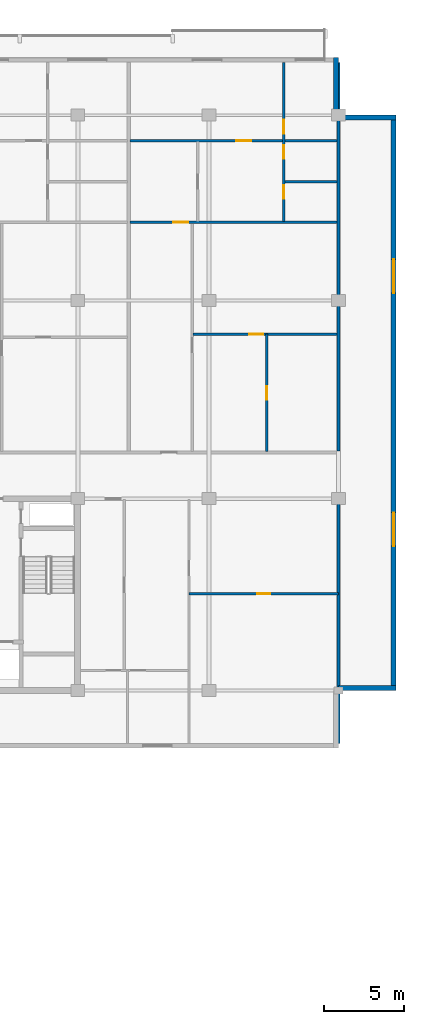
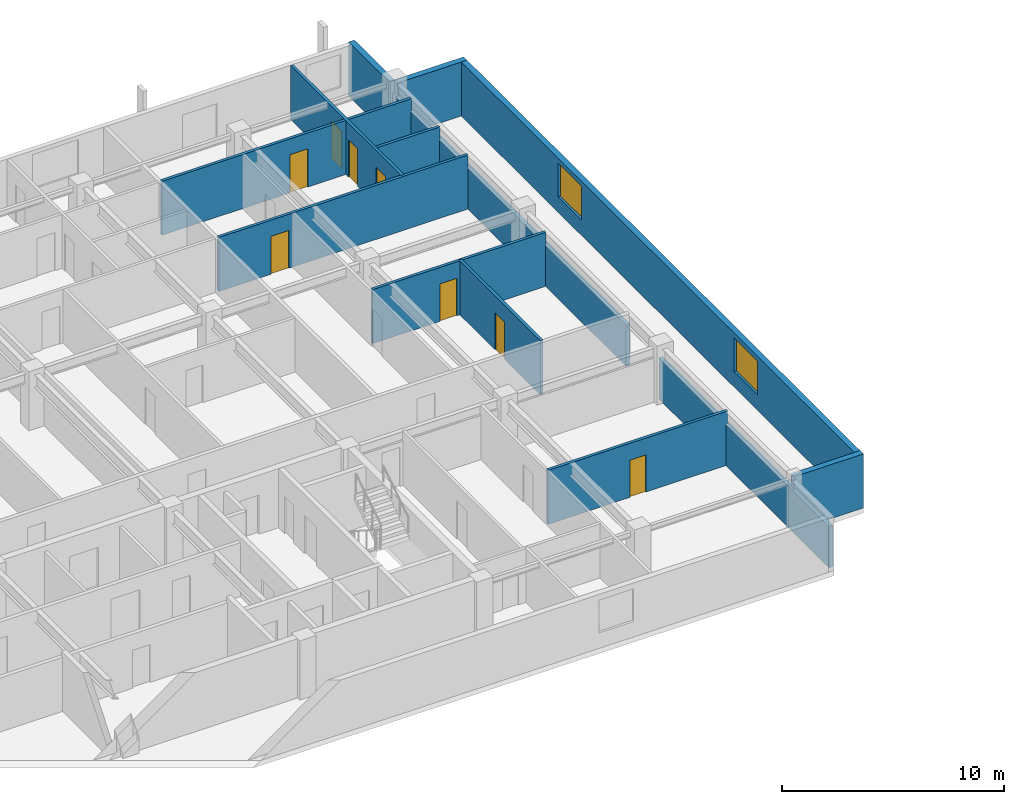
# One storey, part 15 of 21: 13 walls, 8 doors, 2 windows, 10 openings.
"""IFC4 building model written with IfcOpenShell, lengths in metres."""

import ifcopenshell
import ifcopenshell.guid

model = None  # the IFC model being written
_history = None  # IfcOwnerHistory: only IFC2X3 demands one
_inside = {}  # id of a spatial element -> (the spatial element, [elements in it])
_under = {}  # id of a project, library or spatial element -> (it, [spatial elements below it])
_declared = {}  # id of a project -> (the project, [libraries it declares])
_typed = {}  # id of a type object -> (the type object, [elements of that type])
_made_of = {}  # id of a material, layer set ... -> (it, [elements and type objects made of it])


def new_model(schema):
    """Start an empty IFC model of exactly this schema.

    Asked for "IFC4X3", IfcOpenShell would pick the latest addendum, in which some entities
    have other attributes; the version numbers below select the first issue.
    IFC2X3 requires an IfcOwnerHistory on every rooted entity: one is made here for all.
    """
    global model, _history
    if schema == "IFC4X3":
        model = ifcopenshell.file(schema_version=(4, 3, 0, 0))
    else:
        model = ifcopenshell.file(schema=schema)
    _inside.clear()
    _under.clear()
    _declared.clear()
    _typed.clear()
    _made_of.clear()
    _history = None
    if model.schema == "IFC2X3":
        org = make("IfcOrganization", Name="unknown")
        user = make(
            "IfcPersonAndOrganization",
            ThePerson=make("IfcPerson", FamilyName="unknown"),
            TheOrganization=org,
        )
        app = make(
            "IfcApplication",
            ApplicationDeveloper=org,
            Version="unknown",
            ApplicationFullName="unknown",
            ApplicationIdentifier="unknown",
        )
        _history = make(
            "IfcOwnerHistory",
            OwningUser=user,
            OwningApplication=app,
            ChangeAction="ADDED",
            CreationDate=0,
        )
    return model


def make(cls, **values):
    """One entity of the class cls with the attributes given. An attribute that is None is left unset."""
    return model.create_entity(
        cls, **{name: value for name, value in values.items() if value is not None}
    )


def rooted(cls, **values):
    """An entity with a GlobalId (a new one), such as an element, a storey or a relation."""
    return make(cls, GlobalId=ifcopenshell.guid.new(), OwnerHistory=_history, **values)


def si_unit(unit_type, name, prefix=None):
    """IfcSIUnit, for example si_unit("LENGTHUNIT", "METRE", prefix="MILLI")."""
    return make("IfcSIUnit", UnitType=unit_type, Prefix=prefix, Name=name)


def assignment(units):
    """IfcUnitAssignment: the units of a project."""
    return None if units is None else make("IfcUnitAssignment", Units=units)


def point(xyz):
    """IfcCartesianPoint."""
    return None if xyz is None else make("IfcCartesianPoint", Coordinates=xyz)


def direction(xyz):
    """IfcDirection."""
    return None if xyz is None else make("IfcDirection", DirectionRatios=xyz)


def frame(location, z_axis=None, x_axis=None):
    """IfcAxis2Placement3D, a coordinate frame: its origin and axes. An axis left out is left unset."""
    return make(
        "IfcAxis2Placement3D",
        Location=point(location),
        Axis=direction(z_axis),
        RefDirection=direction(x_axis),
    )


def frame_2d(location, x_axis=None):
    """IfcAxis2Placement2D, a coordinate frame in the plane: its origin and x axis."""
    return make(
        "IfcAxis2Placement2D", Location=point(location), RefDirection=direction(x_axis)
    )


def origin():
    """The frame at (0, 0, 0) with its axes left unset."""
    return frame((0.0, 0.0, 0.0))


def place(relative_to, where):
    """IfcLocalPlacement: puts the frame where relative to a parent placement (None: the world)."""
    return make(
        "IfcLocalPlacement", PlacementRelTo=relative_to, RelativePlacement=where
    )


def context(
    kind, dimensions, precision=None, world=None, true_north=None, identifier=None
):
    """IfcGeometricRepresentationContext, for example the 3D "Model" context."""
    return make(
        "IfcGeometricRepresentationContext",
        ContextIdentifier=identifier,
        ContextType=kind,
        CoordinateSpaceDimension=dimensions,
        Precision=precision,
        WorldCoordinateSystem=world,
        TrueNorth=true_north,
    )


def subcontext(parent, identifier, kind, view, scale=None):
    """IfcGeometricRepresentationSubContext, for example "Body" below "Model"."""
    return make(
        "IfcGeometricRepresentationSubContext",
        ContextIdentifier=identifier,
        ContextType=kind,
        ParentContext=parent,
        TargetScale=scale,
        TargetView=view,
    )


def project(units=None, contexts=None):
    """IfcProject with its units and contexts."""
    return rooted(
        "IfcProject",
        Name="project",
        RepresentationContexts=contexts,
        UnitsInContext=assignment(units),
    )


def spatial(cls, under=None, at=None, **own):
    """A site, building, storey or space (cls), placed at a placement, below another one or the project."""
    s = rooted(cls, ObjectPlacement=at, **own)
    if under is not None:
        _under.setdefault(under.id(), (under, []))[1].append(s)
    return s


def profile(cls, at=None, kind="AREA", **sizes):
    """A parametric profile (cls). Its sizes go by their IFC names, for example OverallWidth=200.0."""
    return make(cls, ProfileType=kind, Position=at, **sizes)


def rectangle(**sizes):
    """IfcRectangleProfileDef."""
    return profile("IfcRectangleProfileDef", **sizes)


def extrude(swept, where, along, depth):
    """IfcExtrudedAreaSolid: the profile swept, set in the frame where, extruded along a direction by depth."""
    return make(
        "IfcExtrudedAreaSolid",
        SweptArea=swept,
        Position=where,
        ExtrudedDirection=direction(along),
        Depth=depth,
    )


def shape(context_of_items, identifier, shape_type, items):
    """IfcShapeRepresentation: the items that make up one representation, for example the "Body"."""
    return make(
        "IfcShapeRepresentation",
        ContextOfItems=context_of_items,
        RepresentationIdentifier=identifier,
        RepresentationType=shape_type,
        Items=items,
    )


def material(Name=None, Category=None):
    """IfcMaterial."""
    return make("IfcMaterial", Name=Name, Category=Category)


def layer(
    of_material, thickness, ventilated=None, Name=None, Category=None, Priority=None
):
    """IfcMaterialLayer: one layer of a wall or slab, of a material (None: an air gap)."""
    return make(
        "IfcMaterialLayer",
        Material=of_material,
        LayerThickness=thickness,
        IsVentilated=ventilated,
        Name=Name,
        Category=Category,
        Priority=Priority,
    )


def layer_set(layers, Name=None):
    """IfcMaterialLayerSet."""
    return make("IfcMaterialLayerSet", MaterialLayers=layers, LayerSetName=Name)


def made_of(thing, what):
    """Note that an element or type object is made of a material, layer set ...; save() writes the relation."""
    if what is not None:
        _made_of.setdefault(what.id(), (what, []))[1].append(thing)
    return thing


def type_object(cls, material=None, **own):
    """A type object (cls), such as IfcWallType, which elements share."""
    return made_of(rooted(cls, **own), material)


def element(
    cls,
    number,
    at=None,
    inside=None,
    cuts=None,
    type_object=None,
    material=None,
    context=None,
    identifier="Body",
    shape_type=None,
    held_by="IfcProductDefinitionShape",
    body=None,
    shapes=None,
    **own,
):
    """One element of the class cls, such as IfcWall. Its Tag is "e" and its number.

    at: its placement. inside: the storey or other place that contains it. cuts: it is an
    opening in that element (IfcRelVoidsElement). A single representation is given by context,
    identifier, shape_type and body (its items); several are given by shapes. held_by: the class
    of the entity that holds the representations. save() writes the other relations.
    """
    e = rooted(cls, Tag="e%d" % number, ObjectPlacement=at, **own)
    if body is not None:
        shapes = [shape(context, identifier, shape_type, body)]
    if shapes is not None:
        e.Representation = make(held_by, Representations=shapes)
    if inside is not None:
        _inside.setdefault(inside.id(), (inside, []))[1].append(e)
    if cuts is not None:
        rooted(
            "IfcRelVoidsElement", RelatingBuildingElement=cuts, RelatedOpeningElement=e
        )
    if type_object is not None:
        _typed.setdefault(type_object.id(), (type_object, []))[1].append(e)
    return made_of(e, material)


def fill(opening, filler):
    """IfcRelFillsElement: the door or window that sits in an opening."""
    return rooted(
        "IfcRelFillsElement",
        RelatingOpeningElement=opening,
        RelatedBuildingElement=filler,
    )


def aggregate(whole, parts):
    """IfcRelAggregates: a whole, such as a stair, and the parts it consists of."""
    return rooted("IfcRelAggregates", RelatingObject=whole, RelatedObjects=parts)


def save(model, path):
    """Write the relations noted so far, then the file.

    IfcRelAggregates (storeys below a building ...), IfcRelContainedInSpatialStructure (elements
    in a storey), IfcRelDefinesByType, IfcRelAssociatesMaterial and IfcRelDeclares: one each for
    every whole, place, type object, material and project.
    """
    for whole, parts in _under.values():
        aggregate(whole, parts)
    for where, things in _inside.values():
        rooted(
            "IfcRelContainedInSpatialStructure",
            RelatedElements=things,
            RelatingStructure=where,
        )
    for kind, things in _typed.values():
        rooted("IfcRelDefinesByType", RelatedObjects=things, RelatingType=kind)
    for what, things in _made_of.values():
        rooted("IfcRelAssociatesMaterial", RelatedObjects=things, RelatingMaterial=what)
    for by, libraries in _declared.values():
        rooted("IfcRelDeclares", RelatingContext=by, RelatedDefinitions=libraries)
    model.write(path)


model = new_model("IFC4")

# Units and contexts
model_context = context("Model", 3, precision=1e-05, world=origin(), true_north=direction((0.0, 1.0)))
body_context = subcontext(model_context, "Body", "Model", "MODEL_VIEW")
ifc_project = project(units=[si_unit("LENGTHUNIT", "METRE"), si_unit("AREAUNIT", "SQUARE_METRE"), si_unit("VOLUMEUNIT", "CUBIC_METRE"), si_unit("PLANEANGLEUNIT", "RADIAN"), si_unit("MASSUNIT", "GRAM", prefix="KILO")], contexts=[model_context])

# Site, building, storey
site_placement = place(None, origin())
site = spatial("IfcSite", under=ifc_project, at=site_placement, CompositionType="ELEMENT")
building_placement = place(site_placement, origin())
building = spatial("IfcBuilding", under=site, at=building_placement, Name="Korimba Cascade Residences", CompositionType="ELEMENT")
storey_placement = place(building_placement, frame((0.0, 0.0, 188.10009765625)))
storey = spatial("IfcBuildingStorey", under=building, at=storey_placement, Name="L54", CompositionType="ELEMENT", Elevation=188.10009765625)

# Wall
ifc_material_1 = material(Name="Precast concrete C40/50", Category="concrete")
ifc_layer_1 = layer(ifc_material_1, 0.300048828125)
ifc_layer_set_1 = layer_set([ifc_layer_1], Name="Precast concrete C40/50")
wall_type_1 = type_object("IfcWallType", Name="EW-STONE-300", PredefinedType="STANDARD", material=ifc_layer_set_1)
wall_1_placement = place(storey_placement, frame((128.39990234375, 55.35009765625, 0.0), z_axis=(0.0, 0.0, 1.0), x_axis=(1.0, 0.0, 0.0)))
element("IfcWall", 1, at=wall_1_placement, inside=storey, type_object=wall_type_1, Name="L54 T1 Perimeter Stone Wall E02", PredefinedType="STANDARD", context=body_context, shape_type="SweptSolid", body=[
    extrude(rectangle(XDim=3.60009765625, YDim=0.300048828125, at=frame_2d((1.800048828125, 0.0))), origin(), (0.0, 0.0, 1.0), 2.969970703125),
])

# Wall, openings, windows
wall_2_placement = place(storey_placement, frame((131.85009765625, 55.199951171875, 0.0), z_axis=(0.0, 0.0, 1.0), x_axis=(0.0, 1.0, 0.0)))
wall_2 = element("IfcWall", 2, at=wall_2_placement, inside=storey, type_object=wall_type_1, Name="L54 T1 Perimeter Stone Wall E03", PredefinedType="STANDARD", context=body_context, shape_type="SweptSolid", body=[
    extrude(rectangle(XDim=36.0, YDim=0.300048828125, at=frame_2d((18.0, 0.0))), origin(), (0.0, 0.0, 1.0), 2.969970703125),
])
opening_1_placement = place(wall_2_placement, frame((9.030029296875, 0.0, 0.85009765625)))
opening_1 = element("IfcOpeningElement", 3, at=opening_1_placement, cuts=wall_2, Name="Opening W-03", PredefinedType="OPENING", context=body_context, shape_type="SweptSolid", body=[
    extrude(rectangle(XDim=2.10009765625, YDim=1.85009765625, at=frame_2d((1.050048828125, 0.925048828125))), frame((0.0, 0.16015625, 0.0), z_axis=(0.0, -1.0, 0.0), x_axis=(1.0, 0.0, 0.0)), (0.0, 0.0, 1.0), 0.320068359375),
])
opening_2_placement = place(wall_2_placement, frame((24.8701171875, 0.0, 0.85009765625)))
opening_2 = element("IfcOpeningElement", 4, at=opening_2_placement, cuts=wall_2, Name="Opening W-03", PredefinedType="OPENING", context=body_context, shape_type="SweptSolid", body=[
    extrude(rectangle(XDim=2.10009765625, YDim=1.85009765625, at=frame_2d((1.050048828125, 0.925048828125))), frame((0.0, 0.16015625, 0.0), z_axis=(0.0, -1.0, 0.0), x_axis=(1.0, 0.0, 0.0)), (0.0, 0.0, 1.0), 0.320068359375),
])
ifc_material_2 = material(Name="Double-Glazed Aluminium Window", Category="aluminium")
window_type = type_object("IfcWindowType", Name="WIN-CRN-2100", PartitioningType="DOUBLE_PANEL_HORIZONTAL", PredefinedType="WINDOW", material=ifc_material_2)
window_1_placement = place(opening_1_placement, origin())
window_1 = element("IfcWindow", 5, at=window_1_placement, inside=storey, type_object=window_type, Name="L54 T1 End View Window 3.1", OverallHeight=1.85009765625, OverallWidth=2.10009765625, PartitioningType="DOUBLE_PANEL_HORIZONTAL", PredefinedType="WINDOW", context=body_context, shape_type="SweptSolid", body=[
    extrude(rectangle(XDim=2.10009765625, YDim=1.85009765625, at=frame_2d((1.050048828125, 0.925048828125))), frame((0.0, 0.030029296875, 0.0), z_axis=(0.0, -1.0, 0.0), x_axis=(1.0, 0.0, 0.0)), (0.0, 0.0, 1.0), 0.06005859375),
])
fill(opening_1, window_1)
window_2_placement = place(opening_2_placement, origin())
window_2 = element("IfcWindow", 6, at=window_2_placement, inside=storey, type_object=window_type, Name="L54 T1 End View Window 3.2", OverallHeight=1.85009765625, OverallWidth=2.10009765625, PartitioningType="DOUBLE_PANEL_HORIZONTAL", PredefinedType="WINDOW", context=body_context, shape_type="SweptSolid", body=[
    extrude(rectangle(XDim=2.10009765625, YDim=1.85009765625, at=frame_2d((1.050048828125, 0.925048828125))), frame((0.0, 0.030029296875, 0.0), z_axis=(0.0, -1.0, 0.0), x_axis=(1.0, 0.0, 0.0)), (0.0, 0.0, 1.0), 0.06005859375),
])
fill(opening_2, window_2)

# Walls
for number, where, z_axis, x_axis, name in (
    (7, (132.0, 91.050048828125, 0.0), (0.0, 0.0, 1.0), (-1.0, 0.0, 0.0), "L54 T1 Perimeter Stone Wall E04"),
    (8, (128.25, 91.199951171875, 0.0), (0.0, 0.0, 1.0), (0.0, 1.0, 0.0), "L54 T1 Perimeter Stone Wall E05"),
):
    element("IfcWall", number, at=place(storey_placement, frame(where, z_axis=z_axis, x_axis=x_axis)), inside=storey, type_object=wall_type_1, Name=name, PredefinedType="STANDARD", context=body_context, shape_type="SweptSolid", body=[
        extrude(rectangle(XDim=3.60009765625, YDim=0.300048828125, at=frame_2d((1.800048828125, 0.0))), origin(), (0.0, 0.0, 1.0), 2.969970703125),
    ])
ifc_layer_2 = layer(ifc_material_1, 0.199951171875)
ifc_layer_set_2 = layer_set([ifc_layer_2], Name="Precast concrete C40/50")
wall_type_2 = type_object("IfcWallType", Name="WAL-IT-200", PredefinedType="PARTITIONING", material=ifc_layer_set_2)
wall_3_placement = place(storey_placement, frame((128.39990234375, 51.89990234375, 0.0), z_axis=(0.0, 0.0, 1.0), x_axis=(0.0, 1.0, 0.0)))
element("IfcWall", 9, at=wall_3_placement, inside=storey, type_object=wall_type_2, Name="L54 Partition Wall WAL-L54-T1-FE-WR", PredefinedType="PARTITIONING", context=body_context, shape_type="SweptSolid", body=[
    extrude(rectangle(XDim=15.300048828125, YDim=0.199951171875, at=frame_2d((7.64990234375, 0.0))), origin(), (0.0, 0.0, 1.0), 2.277099609375),
])
wall_4_placement = place(storey_placement, frame((128.39990234375, 70.179931640625, 0.0), z_axis=(0.0, 0.0, 1.0), x_axis=(0.0, 1.0, 0.0)))
element("IfcWall", 10, at=wall_4_placement, inside=storey, type_object=wall_type_2, Name="L54 Partition Wall WAL-L54-T1-BNDWR", PredefinedType="PARTITIONING", context=body_context, shape_type="SweptSolid", body=[
    extrude(rectangle(XDim=24.320068359375, YDim=0.199951171875, at=frame_2d((12.16015625, 0.0))), origin(), (0.0, 0.0, 1.0), 2.277099609375),
])

# Wall, opening, door
ifc_material_3 = material(Name="Insulated Acoustic Stud Partition", Category="gypsum")
ifc_layer_3 = layer(ifc_material_3, 0.14990234375)
ifc_layer_set_3 = layer_set([ifc_layer_3], Name="Insulated Acoustic Stud Partition")
wall_type_3 = type_object("IfcWallType", Name="WAL-PART-150", PredefinedType="PARTITIONING", material=ifc_layer_set_3)
wall_5_placement = place(storey_placement, frame((119.050048828125, 61.25, 0.0), z_axis=(0.0, 0.0, 1.0), x_axis=(1.0, 0.0, 0.0)))
wall_5 = element("IfcWall", 11, at=wall_5_placement, inside=storey, type_object=wall_type_3, Name="L54 Partition Wall WAL-L54-T1-FE-STH", PredefinedType="PARTITIONING", context=body_context, shape_type="SweptSolid", body=[
    extrude(rectangle(XDim=9.349853515625, YDim=0.14990234375, at=frame_2d((4.6748046875, 0.0))), origin(), (0.0, 0.0, 1.0), 2.969970703125),
])
opening_3_placement = place(wall_5_placement, frame((4.2548828125, 0.0, 0.0)))
opening_3 = element("IfcOpeningElement", 12, at=opening_3_placement, cuts=wall_5, Name="Opening D-BT1", PredefinedType="OPENING", context=body_context, shape_type="SweptSolid", body=[
    extrude(rectangle(XDim=0.840087890625, YDim=2.0400390625, at=frame_2d((0.419921875, 1.02001953125))), frame((0.0, 0.0849609375, 0.0), z_axis=(0.0, -1.0, 0.0), x_axis=(1.0, 0.0, 0.0)), (0.0, 0.0, 1.0), 0.169921875),
])
ifc_material_4 = material(Name="Moisture-Resistant Bathroom Timber Door", Category="wood")
door_type_1 = type_object("IfcDoorType", Name="DR-INT-850", OperationType="NOTDEFINED", PredefinedType="DOOR", material=ifc_material_4)
door_1_placement = place(opening_3_placement, origin())
door_1 = element("IfcDoor", 13, at=door_1_placement, inside=storey, type_object=door_type_1, Name="L54-T1-FE Dressing Store Door", OperationType="SINGLE_SWING_RIGHT", OverallHeight=2.0400390625, OverallWidth=0.840087890625, PredefinedType="DOOR", context=body_context, shape_type="SweptSolid", body=[
    extrude(rectangle(XDim=0.840087890625, YDim=2.0400390625, at=frame_2d((0.419921875, 1.02001953125))), frame((0.0, 0.02490234375, 0.0), z_axis=(0.0, -1.0, 0.0), x_axis=(1.0, 0.0, 0.0)), (0.0, 0.0, 1.0), 0.050048828125),
])
fill(opening_3, door_1)

wall_6_placement = place(storey_placement, frame((123.913818359375, 70.159912109375, 0.0), z_axis=(0.0, 0.0, 1.0), x_axis=(0.0, 1.0, 0.0)))
wall_6 = element("IfcWall", 14, at=wall_6_placement, inside=storey, type_object=wall_type_3, Name="L54 Partition Wall WAL-L54-T1-U05-FMV", PredefinedType="PARTITIONING", context=body_context, shape_type="SweptSolid", body=[
    extrude(rectangle(XDim=7.330078125, YDim=0.14990234375, at=frame_2d((3.6650390625, 0.0))), origin(), (0.0, 0.0, 1.0), 2.969970703125),
])
opening_4_placement = place(wall_6_placement, frame((3.2451171875, 0.0, 0.0)))
opening_4 = element("IfcOpeningElement", 15, at=opening_4_placement, cuts=wall_6, Name="Opening D-BT1", PredefinedType="OPENING", context=body_context, shape_type="SweptSolid", body=[
    extrude(rectangle(XDim=0.840087890625, YDim=2.0400390625, at=frame_2d((0.419921875, 1.02001953125))), frame((0.0, 0.0849609375, 0.0), z_axis=(0.0, -1.0, 0.0), x_axis=(1.0, 0.0, 0.0)), (0.0, 0.0, 1.0), 0.169921875),
])
door_2_placement = place(opening_4_placement, origin())
door_2 = element("IfcDoor", 16, at=door_2_placement, inside=storey, type_object=door_type_1, Name="L54-T1-U05 Wardrobe Door", OperationType="SINGLE_SWING_RIGHT", OverallHeight=2.0400390625, OverallWidth=0.840087890625, PredefinedType="DOOR", context=body_context, shape_type="SweptSolid", body=[
    extrude(rectangle(XDim=0.840087890625, YDim=2.0400390625, at=frame_2d((0.419921875, 1.02001953125))), frame((0.0, 0.02490234375, 0.0), z_axis=(0.0, -1.0, 0.0), x_axis=(1.0, 0.0, 0.0)), (0.0, 0.0, 1.0), 0.050048828125),
])
fill(opening_4, door_2)

wall_7_placement = place(storey_placement, frame((119.307373046875, 77.489990234375, 0.0), z_axis=(0.0, 0.0, 1.0), x_axis=(1.0, 0.0, 0.0)))
wall_7 = element("IfcWall", 17, at=wall_7_placement, inside=storey, type_object=wall_type_3, Name="L54 Partition Wall WAL-L54-T1-U05-FMH", PredefinedType="PARTITIONING", context=body_context, shape_type="SweptSolid", body=[
    extrude(rectangle(XDim=9.0126953125, YDim=0.14990234375, at=frame_2d((4.50634765625, 0.0))), origin(), (0.0, 0.0, 1.0), 2.969970703125),
])
opening_5_placement = place(wall_7_placement, frame((3.50634765625, 0.0, 0.0)))
opening_5 = element("IfcOpeningElement", 18, at=opening_5_placement, cuts=wall_7, Name="Opening D-IN2", PredefinedType="OPENING", context=body_context, shape_type="SweptSolid", body=[
    extrude(rectangle(XDim=0.8798828125, YDim=2.06005859375, at=frame_2d((0.43994140625, 1.030029296875))), frame((0.0, 0.0849609375, 0.0), z_axis=(0.0, -1.0, 0.0), x_axis=(1.0, 0.0, 0.0)), (0.0, 0.0, 1.0), 0.169921875),
])
ifc_material_5 = material(Name="Acoustic Timber Bedroom Door", Category="wood")
door_type_2 = type_object("IfcDoorType", Name="DR-INT-880", OperationType="NOTDEFINED", PredefinedType="DOOR", material=ifc_material_5)
door_3_placement = place(opening_5_placement, origin())
door_3 = element("IfcDoor", 19, at=door_3_placement, inside=storey, type_object=door_type_2, Name="L54-T1-U05 Library Salon Door", OperationType="SINGLE_SWING_LEFT", OverallHeight=2.06005859375, OverallWidth=0.8798828125, PredefinedType="DOOR", context=body_context, shape_type="SweptSolid", body=[
    extrude(rectangle(XDim=0.8798828125, YDim=2.06005859375, at=frame_2d((0.43994140625, 1.030029296875))), frame((0.0, 0.02490234375, 0.0), z_axis=(0.0, -1.0, 0.0), x_axis=(1.0, 0.0, 0.0)), (0.0, 0.0, 1.0), 0.050048828125),
])
fill(opening_5, door_3)

# Wall
wall_8_placement = place(storey_placement, frame((125.0400390625, 87.0400390625, 0.0), z_axis=(0.0, 0.0, 1.0), x_axis=(1.0, 0.0, 0.0)))
element("IfcWall", 20, at=wall_8_placement, inside=storey, type_object=wall_type_3, Name="L54 Partition Wall WAL-L54-T1-U05-BLDIV", PredefinedType="PARTITIONING", context=body_context, shape_type="SweptSolid", body=[
    extrude(rectangle(XDim=3.280029296875, YDim=0.14990234375, at=frame_2d((1.64013671875, 0.0))), origin(), (0.0, 0.0, 1.0), 2.969970703125),
])

# Wall, openings, doors
wall_9_placement = place(storey_placement, frame((124.97998046875, 84.5400390625, 0.0), z_axis=(0.0, 0.0, 1.0), x_axis=(0.0, 1.0, 0.0)))
wall_9 = element("IfcWall", 21, at=wall_9_placement, inside=storey, type_object=wall_type_3, Name="L54 Partition Wall WAL-L54-T1-U05-V1", PredefinedType="PARTITIONING", context=body_context, shape_type="SweptSolid", body=[
    extrude(rectangle(XDim=9.9599609375, YDim=0.14990234375, at=frame_2d((4.97998046875, 0.0))), origin(), (0.0, 0.0, 1.0), 2.969970703125),
])
opening_6_placement = place(wall_9_placement, frame((1.430419921875, 0.0, 0.0)))
opening_6 = element("IfcOpeningElement", 22, at=opening_6_placement, cuts=wall_9, Name="Opening D-BT1", PredefinedType="OPENING", context=body_context, shape_type="SweptSolid", body=[
    extrude(rectangle(XDim=0.840087890625, YDim=2.0400390625, at=frame_2d((0.419921875, 1.02001953125))), frame((0.0, 0.0849609375, 0.0), z_axis=(0.0, -1.0, 0.0), x_axis=(1.0, 0.0, 0.0)), (0.0, 0.0, 1.0), 0.169921875),
])
opening_7_placement = place(wall_9_placement, frame((3.919921875, 0.0, 0.0)))
opening_7 = element("IfcOpeningElement", 23, at=opening_7_placement, cuts=wall_9, Name="Opening D-BT1", PredefinedType="OPENING", context=body_context, shape_type="SweptSolid", body=[
    extrude(rectangle(XDim=0.840087890625, YDim=2.0400390625, at=frame_2d((0.419921875, 1.02001953125))), frame((0.0, 0.0849609375, 0.0), z_axis=(0.0, -1.0, 0.0), x_axis=(1.0, 0.0, 0.0)), (0.0, 0.0, 1.0), 0.169921875),
])
opening_8_placement = place(wall_9_placement, frame((5.47998046875, 0.0, 0.0)))
opening_8 = element("IfcOpeningElement", 24, at=opening_8_placement, cuts=wall_9, Name="Opening D-IN2", PredefinedType="OPENING", context=body_context, shape_type="SweptSolid", body=[
    extrude(rectangle(XDim=0.8798828125, YDim=2.06005859375, at=frame_2d((0.43994140625, 1.030029296875))), frame((0.0, 0.0849609375, 0.0), z_axis=(0.0, -1.0, 0.0), x_axis=(1.0, 0.0, 0.0)), (0.0, 0.0, 1.0), 0.169921875),
])
door_4_placement = place(opening_6_placement, origin())
door_4 = element("IfcDoor", 25, at=door_4_placement, inside=storey, type_object=door_type_1, Name="L54-T1-U05 Bathroom Door", OperationType="SINGLE_SWING_RIGHT", OverallHeight=2.0400390625, OverallWidth=0.840087890625, PredefinedType="DOOR", context=body_context, shape_type="SweptSolid", body=[
    extrude(rectangle(XDim=0.840087890625, YDim=2.0400390625, at=frame_2d((0.419921875, 1.02001953125))), frame((0.0, 0.02490234375, 0.0), z_axis=(0.0, -1.0, 0.0), x_axis=(1.0, 0.0, 0.0)), (0.0, 0.0, 1.0), 0.050048828125),
])
fill(opening_6, door_4)
door_5_placement = place(opening_7_placement, origin())
door_5 = element("IfcDoor", 26, at=door_5_placement, inside=storey, type_object=door_type_1, Name="L54-T1-U05 Laundry Door", OperationType="SINGLE_SWING_LEFT", OverallHeight=2.0400390625, OverallWidth=0.840087890625, PredefinedType="DOOR", context=body_context, shape_type="SweptSolid", body=[
    extrude(rectangle(XDim=0.840087890625, YDim=2.0400390625, at=frame_2d((0.419921875, 1.02001953125))), frame((0.0, 0.02490234375, 0.0), z_axis=(0.0, -1.0, 0.0), x_axis=(1.0, 0.0, 0.0)), (0.0, 0.0, 1.0), 0.050048828125),
])
fill(opening_7, door_5)
door_6_placement = place(opening_8_placement, origin())
door_6 = element("IfcDoor", 27, at=door_6_placement, inside=storey, type_object=door_type_2, Name="L54-T1-U05 Bedroom 1 Door", OperationType="SINGLE_SWING_RIGHT", OverallHeight=2.06005859375, OverallWidth=0.8798828125, PredefinedType="DOOR", context=body_context, shape_type="SweptSolid", body=[
    extrude(rectangle(XDim=0.8798828125, YDim=2.06005859375, at=frame_2d((0.43994140625, 1.030029296875))), frame((0.0, 0.02490234375, 0.0), z_axis=(0.0, -1.0, 0.0), x_axis=(1.0, 0.0, 0.0)), (0.0, 0.0, 1.0), 0.050048828125),
])
fill(opening_8, door_6)

# Wall, opening, door
wall_10_placement = place(storey_placement, frame((115.357421875, 84.5, 0.0), z_axis=(0.0, 0.0, 1.0), x_axis=(1.0, 0.0, 0.0)))
wall_10 = element("IfcWall", 28, at=wall_10_placement, inside=storey, type_object=wall_type_3, Name="L54 Partition Wall WAL-L54-T1-U05-MW", PredefinedType="PARTITIONING", context=body_context, shape_type="SweptSolid", body=[
    extrude(rectangle(XDim=12.962646484375, YDim=0.14990234375, at=frame_2d((6.4814453125, 0.0))), origin(), (0.0, 0.0, 1.0), 2.969970703125),
])
opening_9_placement = place(wall_10_placement, frame((2.719970703125, 0.0, 0.0)))
opening_9 = element("IfcOpeningElement", 29, at=opening_9_placement, cuts=wall_10, Name="Opening D-IN1", PredefinedType="OPENING", context=body_context, shape_type="SweptSolid", body=[
    extrude(rectangle(XDim=0.919921875, YDim=2.080078125, at=frame_2d((0.4599609375, 1.0400390625))), frame((0.0, 0.0849609375, 0.0), z_axis=(0.0, -1.0, 0.0), x_axis=(1.0, 0.0, 0.0)), (0.0, 0.0, 1.0), 0.169921875),
])
ifc_material_6 = material(Name="Acoustic Timber Living Door", Category="wood")
door_type_3 = type_object("IfcDoorType", Name="DR-INT-920", OperationType="NOTDEFINED", PredefinedType="DOOR", material=ifc_material_6)
door_7_placement = place(opening_9_placement, origin())
door_7 = element("IfcDoor", 30, at=door_7_placement, inside=storey, type_object=door_type_3, Name="L54-T1-U05 Kitchen Archway Door", OperationType="SINGLE_SWING_LEFT", OverallHeight=2.080078125, OverallWidth=0.919921875, PredefinedType="DOOR", context=body_context, shape_type="SweptSolid", body=[
    extrude(rectangle(XDim=0.919921875, YDim=2.080078125, at=frame_2d((0.4599609375, 1.0400390625))), frame((0.0, 0.02490234375, 0.0), z_axis=(0.0, -1.0, 0.0), x_axis=(1.0, 0.0, 0.0)), (0.0, 0.0, 1.0), 0.050048828125),
])
fill(opening_9, door_7)

wall_11_placement = place(storey_placement, frame((115.357421875, 89.60009765625, 0.0), z_axis=(0.0, 0.0, 1.0), x_axis=(1.0, 0.0, 0.0)))
wall_11 = element("IfcWall", 31, at=wall_11_placement, inside=storey, type_object=wall_type_3, Name="L54 Partition Wall WAL-L54-T1-U05-HZ", PredefinedType="PARTITIONING", context=body_context, shape_type="SweptSolid", body=[
    extrude(rectangle(XDim=12.962646484375, YDim=0.14990234375, at=frame_2d((6.4814453125, 0.0))), origin(), (0.0, 0.0, 1.0), 2.969970703125),
])
opening_10_placement = place(wall_11_placement, frame((6.632568359375, 0.0, 0.0)))
opening_10 = element("IfcOpeningElement", 32, at=opening_10_placement, cuts=wall_11, Name="Opening D-IN0", PredefinedType="OPENING", context=body_context, shape_type="SweptSolid", body=[
    extrude(rectangle(XDim=0.93994140625, YDim=2.10009765625, at=frame_2d((0.469970703125, 1.050048828125))), frame((0.0, 0.0849609375, 0.0), z_axis=(0.0, -1.0, 0.0), x_axis=(1.0, 0.0, 0.0)), (0.0, 0.0, 1.0), 0.169921875),
])
ifc_material_7 = material(Name="Acoustic Timber Living Archway Door", Category="wood")
door_type_4 = type_object("IfcDoorType", Name="DR-INT-950", OperationType="NOTDEFINED", PredefinedType="DOOR", material=ifc_material_7)
door_8_placement = place(opening_10_placement, origin())
door_8 = element("IfcDoor", 33, at=door_8_placement, inside=storey, type_object=door_type_4, Name="L54-T1-U05 Living Archway Door", OperationType="SINGLE_SWING_RIGHT", OverallHeight=2.10009765625, OverallWidth=0.93994140625, PredefinedType="DOOR", context=body_context, shape_type="SweptSolid", body=[
    extrude(rectangle(XDim=0.93994140625, YDim=2.10009765625, at=frame_2d((0.469970703125, 1.050048828125))), frame((0.0, 0.02490234375, 0.0), z_axis=(0.0, -1.0, 0.0), x_axis=(1.0, 0.0, 0.0)), (0.0, 0.0, 1.0), 0.050048828125),
])
fill(opening_10, door_8)

save(model, "model.ifc")
